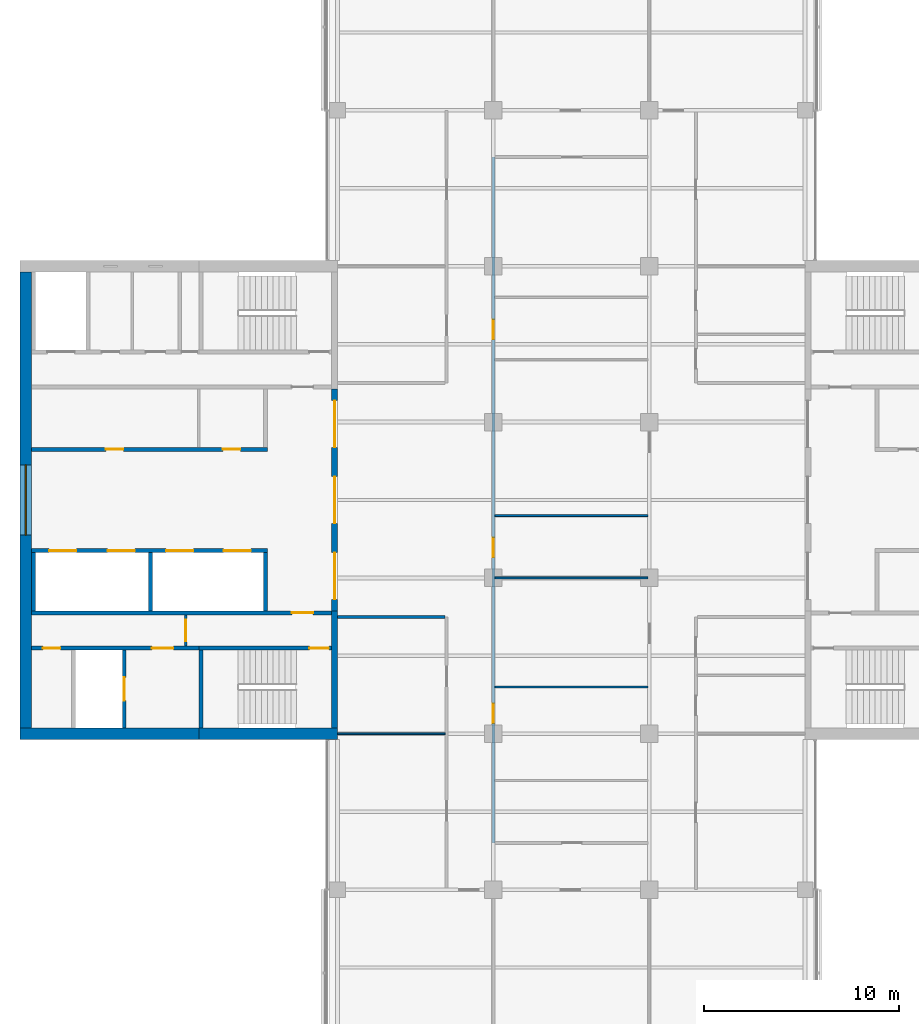
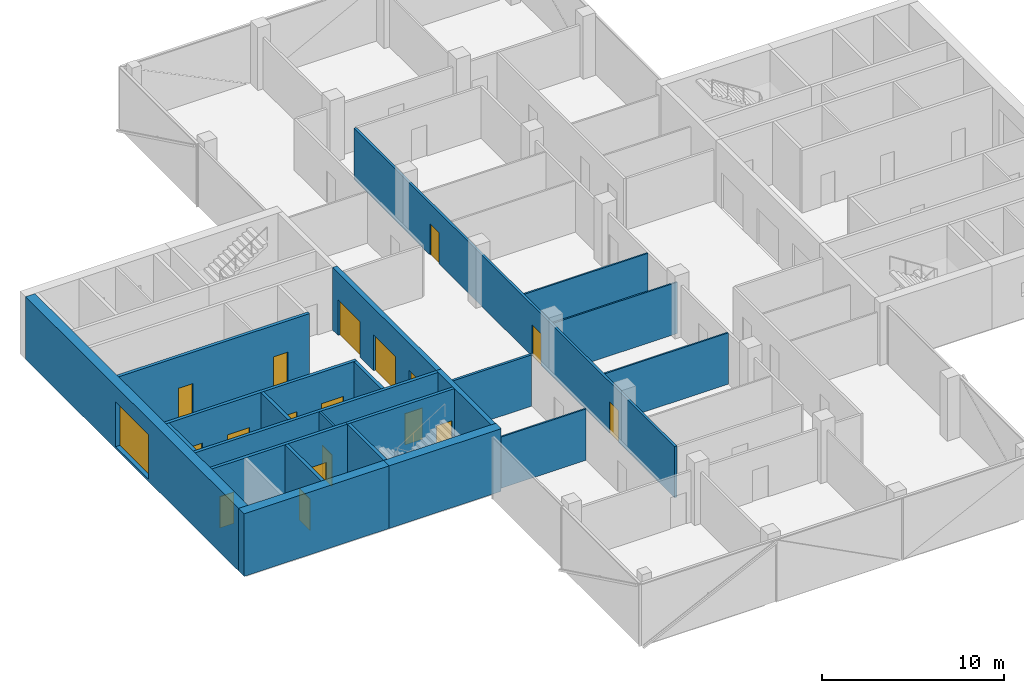
# One storey, part 9 of 15: 22 walls, 18 doors, 1 window, 19 openings.
"""IFC4 building model written with IfcOpenShell, lengths in metres."""

from ifc_helpers import new_model, si_unit, direction, frame, frame_2d, origin, place, context, subcontext, project, spatial, rectangle, extrude, material, layer, layer_set, constituent, constituent_set, type_object, element, fill, save


model = new_model("IFC4")

# Units and contexts
model_context = context("Model", 3, precision=1e-05, world=origin(), true_north=direction((0.0, 1.0)))
body_context = subcontext(model_context, "Body", "Model", "MODEL_VIEW")
ifc_project = project(units=[si_unit("LENGTHUNIT", "METRE"), si_unit("AREAUNIT", "SQUARE_METRE"), si_unit("VOLUMEUNIT", "CUBIC_METRE"), si_unit("PLANEANGLEUNIT", "RADIAN"), si_unit("MASSUNIT", "GRAM", prefix="KILO")], contexts=[model_context])

# Site, building, storey
site_placement = place(None, origin())
site = spatial("IfcSite", under=ifc_project, at=site_placement, CompositionType="ELEMENT")
building_placement = place(site_placement, origin())
building = spatial("IfcBuilding", under=site, at=building_placement, Name="Crosswind Convention Tower", CompositionType="ELEMENT")
storey_placement = place(building_placement, frame((0.0, 0.0, 199.89990234375)))
storey = spatial("IfcBuildingStorey", under=building, at=storey_placement, Name="L42", CompositionType="ELEMENT", Elevation=199.89990234375)

# Wall, openings, doors
ifc_material_1 = material(Name="Concrete C50/60", Category="concrete")
ifc_layer_1 = layer(ifc_material_1, 0.300048828125)
ifc_layer_set_1 = layer_set([ifc_layer_1], Name="Concrete C50/60")
wall_type_1 = type_object("IfcWallType", Name="Concrete inner core wall 300", PredefinedType="SHEAR", material=ifc_layer_set_1)
wall_1_placement = place(storey_placement, frame((112.85009765625, 105.699951171875, 0.0), z_axis=(0.0, 0.0, 1.0), x_axis=(0.0, -1.0, 0.0)))
wall_1 = element("IfcWall", 1, at=wall_1_placement, inside=storey, type_object=wall_type_1, Name="Wall SCR W L42", PredefinedType="SHEAR", context=body_context, shape_type="SweptSolid", body=[
    extrude(rectangle(XDim=11.39990234375, YDim=0.300048828125, at=frame_2d((5.699951171875, 0.0))), origin(), (0.0, 0.0, 1.0), 4.2001953125),
])
opening_1_placement = place(wall_1_placement, frame((0.60009765625, 0.0, 0.0)))
opening_1 = element("IfcOpeningElement", 2, at=opening_1_placement, cuts=wall_1, Name="Opening D100", PredefinedType="OPENING", context=body_context, shape_type="SweptSolid", body=[
    extrude(rectangle(XDim=2.39990234375, YDim=2.39990234375, at=frame_2d((1.199951171875, 1.199951171875))), frame((0.0, 0.159912109375, 0.0), z_axis=(0.0, -1.0, 0.0), x_axis=(1.0, 0.0, 0.0)), (0.0, 0.0, 1.0), 0.320068359375),
])
opening_2_placement = place(wall_1_placement, frame((4.5, 0.0, 0.0)))
opening_2 = element("IfcOpeningElement", 3, at=opening_2_placement, cuts=wall_1, Name="Opening D100", PredefinedType="OPENING", context=body_context, shape_type="SweptSolid", body=[
    extrude(rectangle(XDim=2.39990234375, YDim=2.39990234375, at=frame_2d((1.199951171875, 1.199951171875))), frame((0.0, 0.159912109375, 0.0), z_axis=(0.0, -1.0, 0.0), x_axis=(1.0, 0.0, 0.0)), (0.0, 0.0, 1.0), 0.320068359375),
])
opening_3_placement = place(wall_1_placement, frame((8.39990234375, 0.0, 0.0)))
opening_3 = element("IfcOpeningElement", 4, at=opening_3_placement, cuts=wall_1, Name="Opening D100", PredefinedType="OPENING", context=body_context, shape_type="SweptSolid", body=[
    extrude(rectangle(XDim=2.39990234375, YDim=2.39990234375, at=frame_2d((1.199951171875, 1.199951171875))), frame((0.0, 0.159912109375, 0.0), z_axis=(0.0, -1.0, 0.0), x_axis=(1.0, 0.0, 0.0)), (0.0, 0.0, 1.0), 0.320068359375),
])
ifc_material_2 = material(Name="Steel fire door with glazed vision panels", Category="steel")
door_type_1 = type_object("IfcDoorType", Name="Fire-rated double door 2400x2400", OperationType="DOUBLE_DOOR_SINGLE_SWING", PredefinedType="DOOR", material=ifc_material_2)
door_1_placement = place(opening_1_placement, origin())
door_1 = element("IfcDoor", 5, at=door_1_placement, inside=storey, type_object=door_type_1, Name="Lobby door 1 L42", ObjectType="D100", OperationType="DOUBLE_DOOR_SINGLE_SWING", OverallHeight=2.39990234375, OverallWidth=2.39990234375, PredefinedType="DOOR", context=body_context, shape_type="SweptSolid", body=[
    extrude(rectangle(XDim=2.39990234375, YDim=2.39990234375, at=frame_2d((1.199951171875, 1.199951171875))), frame((0.0, 0.02490234375, 0.0), z_axis=(0.0, -1.0, 0.0), x_axis=(1.0, 0.0, 0.0)), (0.0, 0.0, 1.0), 0.050048828125),
])
fill(opening_1, door_1)
door_2_placement = place(opening_2_placement, origin())
door_2 = element("IfcDoor", 6, at=door_2_placement, inside=storey, type_object=door_type_1, Name="Lobby door 2 L42", ObjectType="D100", OperationType="DOUBLE_DOOR_SINGLE_SWING", OverallHeight=2.39990234375, OverallWidth=2.39990234375, PredefinedType="DOOR", context=body_context, shape_type="SweptSolid", body=[
    extrude(rectangle(XDim=2.39990234375, YDim=2.39990234375, at=frame_2d((1.199951171875, 1.199951171875))), frame((0.0, 0.02490234375, 0.0), z_axis=(0.0, -1.0, 0.0), x_axis=(1.0, 0.0, 0.0)), (0.0, 0.0, 1.0), 0.050048828125),
])
fill(opening_2, door_2)
door_3_placement = place(opening_3_placement, origin())
door_3 = element("IfcDoor", 7, at=door_3_placement, inside=storey, type_object=door_type_1, Name="Lobby door 3 L42", ObjectType="D100", OperationType="DOUBLE_DOOR_SINGLE_SWING", OverallHeight=2.39990234375, OverallWidth=2.39990234375, PredefinedType="DOOR", context=body_context, shape_type="SweptSolid", body=[
    extrude(rectangle(XDim=2.39990234375, YDim=2.39990234375, at=frame_2d((1.199951171875, 1.199951171875))), frame((0.0, 0.02490234375, 0.0), z_axis=(0.0, -1.0, 0.0), x_axis=(1.0, 0.0, 0.0)), (0.0, 0.0, 1.0), 0.050048828125),
])
fill(opening_3, door_3)

# Walls
wall_2_placement = place(storey_placement, frame((112.85009765625, 94.300048828125, 0.0), z_axis=(0.0, 0.0, 1.0), x_axis=(0.0, -1.0, 0.0)))
element("IfcWall", 8, at=wall_2_placement, inside=storey, type_object=wall_type_1, Name="Wall EP W L42", PredefinedType="SHEAR", context=body_context, shape_type="SweptSolid", body=[
    extrude(rectangle(XDim=6.0, YDim=0.300048828125, at=frame_2d((3.0, 0.0))), origin(), (0.0, 0.0, 1.0), 4.2001953125),
])
ifc_layer_2 = layer(ifc_material_1, 0.199951171875)
ifc_layer_set_2 = layer_set([ifc_layer_2], Name="Concrete C50/60")
wall_type_2 = type_object("IfcWallType", Name="Concrete shaft and stair wall 200", PredefinedType="SHEAR", material=ifc_layer_set_2)
for number, where, z_axis, x_axis, name in (
    (9, (109.300048828125, 97.300048828125, 0.0), (0.0, 0.0, 1.0), (0.0, -1.0, 0.0), "Wall RPEND W L42"),
    (10, (103.39990234375, 97.300048828125, 0.0), (0.0, 0.0, 1.0), (0.0, -1.0, 0.0), "Wall RPSEP W L42"),
    (11, (97.39990234375, 97.300048828125, 0.0), (0.0, 0.0, 1.0), (0.0, -1.0, 0.0), "Wall RPEAST W L42"),
):
    element("IfcWall", number, at=place(storey_placement, frame(where, z_axis=z_axis, x_axis=x_axis)), inside=storey, type_object=wall_type_2, Name=name, PredefinedType="SHEAR", context=body_context, shape_type="SweptSolid", body=[
        extrude(rectangle(XDim=3.0, YDim=0.199951171875, at=frame_2d((1.5, 0.0))), origin(), (0.0, 0.0, 1.0), 4.2001953125),
    ])

# Wall, openings, doors
wall_3_placement = place(storey_placement, frame((109.39990234375, 97.39990234375, 0.0), z_axis=(0.0, 0.0, 1.0), x_axis=(-1.0, 0.0, 0.0)))
wall_3 = element("IfcWall", 12, at=wall_3_placement, inside=storey, type_object=wall_type_2, Name="Wall RPFRONT W L42", PredefinedType="SHEAR", context=body_context, shape_type="SweptSolid", body=[
    extrude(rectangle(XDim=12.099853515625, YDim=0.199951171875, at=frame_2d((6.0498046875, 0.0))), origin(), (0.0, 0.0, 1.0), 4.2001953125),
])
opening_4_placement = place(wall_3_placement, frame((0.85009765625, 0.0, 0.0)))
opening_4 = element("IfcOpeningElement", 13, at=opening_4_placement, cuts=wall_3, Name="Opening LD2", PredefinedType="OPENING", context=body_context, shape_type="SweptSolid", body=[
    extrude(rectangle(XDim=1.39990234375, YDim=2.10009765625, at=frame_2d((0.699951171875, 1.050048828125))), frame((0.0, 0.10986328125, 0.0), z_axis=(0.0, -1.0, 0.0), x_axis=(1.0, 0.0, 0.0)), (0.0, 0.0, 1.0), 0.219970703125),
])
opening_5_placement = place(wall_3_placement, frame((3.800048828125, 0.0, 0.0)))
opening_5 = element("IfcOpeningElement", 14, at=opening_5_placement, cuts=wall_3, Name="Opening LD2", PredefinedType="OPENING", context=body_context, shape_type="SweptSolid", body=[
    extrude(rectangle(XDim=1.39990234375, YDim=2.10009765625, at=frame_2d((0.699951171875, 1.050048828125))), frame((0.0, 0.10986328125, 0.0), z_axis=(0.0, -1.0, 0.0), x_axis=(1.0, 0.0, 0.0)), (0.0, 0.0, 1.0), 0.219970703125),
])
opening_6_placement = place(wall_3_placement, frame((6.800048828125, 0.0, 0.0)))
opening_6 = element("IfcOpeningElement", 15, at=opening_6_placement, cuts=wall_3, Name="Opening LD2", PredefinedType="OPENING", context=body_context, shape_type="SweptSolid", body=[
    extrude(rectangle(XDim=1.39990234375, YDim=2.10009765625, at=frame_2d((0.699951171875, 1.050048828125))), frame((0.0, 0.10986328125, 0.0), z_axis=(0.0, -1.0, 0.0), x_axis=(1.0, 0.0, 0.0)), (0.0, 0.0, 1.0), 0.219970703125),
])
opening_7_placement = place(wall_3_placement, frame((9.800048828125, 0.0, 0.0)))
opening_7 = element("IfcOpeningElement", 16, at=opening_7_placement, cuts=wall_3, Name="Opening LD2", PredefinedType="OPENING", context=body_context, shape_type="SweptSolid", body=[
    extrude(rectangle(XDim=1.39990234375, YDim=2.10009765625, at=frame_2d((0.699951171875, 1.050048828125))), frame((0.0, 0.10986328125, 0.0), z_axis=(0.0, -1.0, 0.0), x_axis=(1.0, 0.0, 0.0)), (0.0, 0.0, 1.0), 0.219970703125),
])
ifc_material_3 = material(Name="Stainless steel", Category="steel")
door_type_2 = type_object("IfcDoorType", Name="Lift landing door 1400x2100", OperationType="DOUBLE_DOOR_SLIDING", PredefinedType="DOOR", material=ifc_material_3)
door_4_placement = place(opening_4_placement, origin())
door_4 = element("IfcDoor", 17, at=door_4_placement, inside=storey, type_object=door_type_2, Name="Landing door HR1 L42", ObjectType="LD2", OperationType="DOUBLE_DOOR_SLIDING", OverallHeight=2.10009765625, OverallWidth=1.39990234375, PredefinedType="DOOR", context=body_context, shape_type="SweptSolid", body=[
    extrude(rectangle(XDim=1.39990234375, YDim=2.10009765625, at=frame_2d((0.699951171875, 1.050048828125))), frame((0.0, 0.02490234375, 0.0), z_axis=(0.0, -1.0, 0.0), x_axis=(1.0, 0.0, 0.0)), (0.0, 0.0, 1.0), 0.050048828125),
])
fill(opening_4, door_4)
door_5_placement = place(opening_5_placement, origin())
door_5 = element("IfcDoor", 18, at=door_5_placement, inside=storey, type_object=door_type_2, Name="Landing door HR2 L42", ObjectType="LD2", OperationType="DOUBLE_DOOR_SLIDING", OverallHeight=2.10009765625, OverallWidth=1.39990234375, PredefinedType="DOOR", context=body_context, shape_type="SweptSolid", body=[
    extrude(rectangle(XDim=1.39990234375, YDim=2.10009765625, at=frame_2d((0.699951171875, 1.050048828125))), frame((0.0, 0.02490234375, 0.0), z_axis=(0.0, -1.0, 0.0), x_axis=(1.0, 0.0, 0.0)), (0.0, 0.0, 1.0), 0.050048828125),
])
fill(opening_5, door_5)
door_6_placement = place(opening_6_placement, origin())
door_6 = element("IfcDoor", 19, at=door_6_placement, inside=storey, type_object=door_type_2, Name="Landing door HR3 L42", ObjectType="LD2", OperationType="DOUBLE_DOOR_SLIDING", OverallHeight=2.10009765625, OverallWidth=1.39990234375, PredefinedType="DOOR", context=body_context, shape_type="SweptSolid", body=[
    extrude(rectangle(XDim=1.39990234375, YDim=2.10009765625, at=frame_2d((0.699951171875, 1.050048828125))), frame((0.0, 0.02490234375, 0.0), z_axis=(0.0, -1.0, 0.0), x_axis=(1.0, 0.0, 0.0)), (0.0, 0.0, 1.0), 0.050048828125),
])
fill(opening_6, door_6)
door_7_placement = place(opening_7_placement, origin())
door_7 = element("IfcDoor", 20, at=door_7_placement, inside=storey, type_object=door_type_2, Name="Landing door HR4 L42", ObjectType="LD2", OperationType="DOUBLE_DOOR_SLIDING", OverallHeight=2.10009765625, OverallWidth=1.39990234375, PredefinedType="DOOR", context=body_context, shape_type="SweptSolid", body=[
    extrude(rectangle(XDim=1.39990234375, YDim=2.10009765625, at=frame_2d((0.699951171875, 1.050048828125))), frame((0.0, 0.02490234375, 0.0), z_axis=(0.0, -1.0, 0.0), x_axis=(1.0, 0.0, 0.0)), (0.0, 0.0, 1.0), 0.050048828125),
])
fill(opening_7, door_7)

wall_4_placement = place(storey_placement, frame((109.39990234375, 102.60009765625, 0.0), z_axis=(0.0, 0.0, 1.0), x_axis=(-1.0, 0.0, 0.0)))
wall_4 = element("IfcWall", 21, at=wall_4_placement, inside=storey, type_object=wall_type_2, Name="Wall RMFRONT W L42", PredefinedType="SHEAR", context=body_context, shape_type="SweptSolid", body=[
    extrude(rectangle(XDim=12.099853515625, YDim=0.199951171875, at=frame_2d((6.0498046875, 0.0))), origin(), (0.0, 0.0, 1.0), 4.2001953125),
])
opening_8_placement = place(wall_4_placement, frame((1.384765625, 0.0, 0.0)))
opening_8 = element("IfcOpeningElement", 22, at=opening_8_placement, cuts=wall_4, Name="Opening D106", PredefinedType="OPENING", context=body_context, shape_type="SweptSolid", body=[
    extrude(rectangle(XDim=0.89990234375, YDim=2.10009765625, at=frame_2d((0.449951171875, 1.050048828125))), frame((0.0, 0.10986328125, 0.0), z_axis=(0.0, -1.0, 0.0), x_axis=(1.0, 0.0, 0.0)), (0.0, 0.0, 1.0), 0.219970703125),
])
opening_9_placement = place(wall_4_placement, frame((7.397216796875, 0.0, 0.0)))
opening_9 = element("IfcOpeningElement", 23, at=opening_9_placement, cuts=wall_4, Name="Opening D106", PredefinedType="OPENING", context=body_context, shape_type="SweptSolid", body=[
    extrude(rectangle(XDim=0.89990234375, YDim=2.10009765625, at=frame_2d((0.449951171875, 1.050048828125))), frame((0.0, 0.10986328125, 0.0), z_axis=(0.0, -1.0, 0.0), x_axis=(1.0, 0.0, 0.0)), (0.0, 0.0, 1.0), 0.219970703125),
])
ifc_material_4 = material(Name="Timber door", Category="wood")
door_type_3 = type_object("IfcDoorType", Name="Single leaf door 900x2100", OperationType="NOTDEFINED", PredefinedType="DOOR", material=ifc_material_4)
door_8_placement = place(opening_8_placement, frame((0.89990234375, 0.0, 0.0), z_axis=(0.0, 0.0, 1.0), x_axis=(-1.0, 0.0, 0.0)))
door_8 = element("IfcDoor", 24, at=door_8_placement, inside=storey, type_object=door_type_3, Name="Door to storeroom L42", ObjectType="D106", OperationType="SINGLE_SWING_LEFT", OverallHeight=2.10009765625, OverallWidth=0.89990234375, PredefinedType="DOOR", context=body_context, shape_type="SweptSolid", body=[
    extrude(rectangle(XDim=0.89990234375, YDim=2.10009765625, at=frame_2d((0.449951171875, 1.050048828125))), frame((0.0, 0.02490234375, 0.0), z_axis=(0.0, -1.0, 0.0), x_axis=(1.0, 0.0, 0.0)), (0.0, 0.0, 1.0), 0.050048828125),
])
fill(opening_8, door_8)
door_9_placement = place(opening_9_placement, frame((0.89990234375, 0.0, 0.0), z_axis=(0.0, 0.0, 1.0), x_axis=(-1.0, 0.0, 0.0)))
door_9 = element("IfcDoor", 25, at=door_9_placement, inside=storey, type_object=door_type_3, Name="Door to tenant services room L42", ObjectType="D106", OperationType="SINGLE_SWING_LEFT", OverallHeight=2.10009765625, OverallWidth=0.89990234375, PredefinedType="DOOR", context=body_context, shape_type="SweptSolid", body=[
    extrude(rectangle(XDim=0.89990234375, YDim=2.10009765625, at=frame_2d((0.449951171875, 1.050048828125))), frame((0.0, 0.02490234375, 0.0), z_axis=(0.0, -1.0, 0.0), x_axis=(1.0, 0.0, 0.0)), (0.0, 0.0, 1.0), 0.050048828125),
])
fill(opening_9, door_9)

# Wall, opening, door
wall_5_placement = place(storey_placement, frame((112.699951171875, 94.199951171875, 0.0), z_axis=(0.0, 0.0, 1.0), x_axis=(-1.0, 0.0, 0.0)))
wall_5 = element("IfcWall", 26, at=wall_5_placement, inside=storey, type_object=wall_type_2, Name="Wall HP W L42", PredefinedType="SHEAR", context=body_context, shape_type="SweptSolid", body=[
    extrude(rectangle(XDim=15.39990234375, YDim=0.199951171875, at=frame_2d((7.699951171875, 0.0))), origin(), (0.0, 0.0, 1.0), 4.2001953125),
])
opening_10_placement = place(wall_5_placement, frame((0.949951171875, 0.0, 0.0)))
opening_10 = element("IfcOpeningElement", 27, at=opening_10_placement, cuts=wall_5, Name="Opening D104", PredefinedType="OPENING", context=body_context, shape_type="SweptSolid", body=[
    extrude(rectangle(XDim=1.10009765625, YDim=2.10009765625, at=frame_2d((0.550048828125, 1.050048828125))), frame((0.0, 0.10986328125, 0.0), z_axis=(0.0, -1.0, 0.0), x_axis=(1.0, 0.0, 0.0)), (0.0, 0.0, 1.0), 0.219970703125),
])
ifc_material_5 = material(Name="Steel fire door", Category="steel")
door_type_4 = type_object("IfcDoorType", Name="Fire-rated single door 1100x2100", OperationType="NOTDEFINED", PredefinedType="DOOR", material=ifc_material_5)
door_10_placement = place(opening_10_placement, origin())
door_10 = element("IfcDoor", 28, at=door_10_placement, inside=storey, type_object=door_type_4, Name="Corridor door L42", ObjectType="D104", OperationType="SINGLE_SWING_LEFT", OverallHeight=2.10009765625, OverallWidth=1.10009765625, PredefinedType="DOOR", context=body_context, shape_type="SweptSolid", body=[
    extrude(rectangle(XDim=1.10009765625, YDim=2.10009765625, at=frame_2d((0.550048828125, 1.050048828125))), frame((0.0, 0.02490234375, 0.0), z_axis=(0.0, -1.0, 0.0), x_axis=(1.0, 0.0, 0.0)), (0.0, 0.0, 1.0), 0.050048828125),
])
fill(opening_10, door_10)

# Wall
wall_6_placement = place(storey_placement, frame((106.0, 92.300048828125, 0.0), z_axis=(0.0, 0.0, 1.0), x_axis=(0.0, -1.0, 0.0)))
element("IfcWall", 29, at=wall_6_placement, inside=storey, type_object=wall_type_2, Name="Wall PSE W L42", PredefinedType="SHEAR", context=body_context, shape_type="SweptSolid", body=[
    extrude(rectangle(XDim=4.0, YDim=0.199951171875, at=frame_2d((2.0, 0.0))), origin(), (0.0, 0.0, 1.0), 4.2001953125),
])

# Wall, opening, door
wall_7_placement = place(storey_placement, frame((102.050048828125, 92.300048828125, 0.0), z_axis=(0.0, 0.0, 1.0), x_axis=(0.0, -1.0, 0.0)))
wall_7 = element("IfcWall", 30, at=wall_7_placement, inside=storey, type_object=wall_type_2, Name="Wall PFLW W L42", PredefinedType="SHEAR", context=body_context, shape_type="SweptSolid", body=[
    extrude(rectangle(XDim=4.0, YDim=0.199951171875, at=frame_2d((2.0, 0.0))), origin(), (0.0, 0.0, 1.0), 4.2001953125),
])
opening_11_placement = place(wall_7_placement, frame((1.39990234375, 0.0, 0.0)))
opening_11 = element("IfcOpeningElement", 31, at=opening_11_placement, cuts=wall_7, Name="Opening LD1", PredefinedType="OPENING", context=body_context, shape_type="SweptSolid", body=[
    extrude(rectangle(XDim=1.199951171875, YDim=2.10009765625, at=frame_2d((0.60009765625, 1.050048828125))), frame((0.0, 0.10986328125, 0.0), z_axis=(0.0, -1.0, 0.0), x_axis=(1.0, 0.0, 0.0)), (0.0, 0.0, 1.0), 0.219970703125),
])
door_type_5 = type_object("IfcDoorType", Name="Lift landing door 1200x2100", OperationType="DOUBLE_DOOR_SLIDING", PredefinedType="DOOR", material=ifc_material_3)
door_11_placement = place(opening_11_placement, origin())
door_11 = element("IfcDoor", 32, at=door_11_placement, inside=storey, type_object=door_type_5, Name="Landing door FF2 L42", ObjectType="LD1", OperationType="DOUBLE_DOOR_SLIDING", OverallHeight=2.10009765625, OverallWidth=1.199951171875, PredefinedType="DOOR", context=body_context, shape_type="SweptSolid", body=[
    extrude(rectangle(XDim=1.199951171875, YDim=2.10009765625, at=frame_2d((0.60009765625, 1.050048828125))), frame((0.0, 0.02490234375, 0.0), z_axis=(0.0, -1.0, 0.0), x_axis=(1.0, 0.0, 0.0)), (0.0, 0.0, 1.0), 0.050048828125),
])
fill(opening_11, door_11)

wall_8_placement = place(storey_placement, frame((112.699951171875, 92.39990234375, 0.0), z_axis=(0.0, 0.0, 1.0), x_axis=(-1.0, 0.0, 0.0)))
wall_8 = element("IfcWall", 33, at=wall_8_placement, inside=storey, type_object=wall_type_2, Name="Wall PCW W L42", PredefinedType="SHEAR", context=body_context, shape_type="SweptSolid", body=[
    extrude(rectangle(XDim=6.800048828125, YDim=0.199951171875, at=frame_2d((3.39990234375, 0.0))), origin(), (0.0, 0.0, 1.0), 4.2001953125),
])
opening_12_placement = place(wall_8_placement, frame((0.14990234375, 0.0, 0.0)))
opening_12 = element("IfcOpeningElement", 34, at=opening_12_placement, cuts=wall_8, Name="Opening D103", PredefinedType="OPENING", context=body_context, shape_type="SweptSolid", body=[
    extrude(rectangle(XDim=1.0, YDim=2.10009765625, at=frame_2d((0.5, 1.050048828125))), frame((0.0, 0.10986328125, 0.0), z_axis=(0.0, -1.0, 0.0), x_axis=(1.0, 0.0, 0.0)), (0.0, 0.0, 1.0), 0.219970703125),
])
door_type_6 = type_object("IfcDoorType", Name="Fire-rated single door 1000x2100", OperationType="NOTDEFINED", PredefinedType="DOOR", material=ifc_material_5)
door_12_placement = place(opening_12_placement, origin())
door_12 = element("IfcDoor", 35, at=door_12_placement, inside=storey, type_object=door_type_6, Name="Stair ST3 door L42", ObjectType="D103", OperationType="SINGLE_SWING_LEFT", OverallHeight=2.10009765625, OverallWidth=1.0, PredefinedType="DOOR", context=body_context, shape_type="SweptSolid", body=[
    extrude(rectangle(XDim=1.0, YDim=2.10009765625, at=frame_2d((0.5, 1.050048828125))), frame((0.0, 0.02490234375, 0.0), z_axis=(0.0, -1.0, 0.0), x_axis=(1.0, 0.0, 0.0)), (0.0, 0.0, 1.0), 0.050048828125),
])
fill(opening_12, door_12)

# Wall, openings, doors
wall_9_placement = place(storey_placement, frame((105.89990234375, 92.39990234375, 0.0), z_axis=(0.0, 0.0, 1.0), x_axis=(-1.0, 0.0, 0.0)))
wall_9 = element("IfcWall", 36, at=wall_9_placement, inside=storey, type_object=wall_type_2, Name="Wall PCX W L42", PredefinedType="SHEAR", context=body_context, shape_type="SweptSolid", body=[
    extrude(rectangle(XDim=8.599853515625, YDim=0.199951171875, at=frame_2d((4.2998046875, 0.0))), origin(), (0.0, 0.0, 1.0), 4.2001953125),
])
opening_13_placement = place(wall_9_placement, frame((1.324951171875, 0.0, 0.0)))
opening_13 = element("IfcOpeningElement", 37, at=opening_13_placement, cuts=wall_9, Name="Opening D104", PredefinedType="OPENING", context=body_context, shape_type="SweptSolid", body=[
    extrude(rectangle(XDim=1.10009765625, YDim=2.10009765625, at=frame_2d((0.550048828125, 1.050048828125))), frame((0.0, 0.10986328125, 0.0), z_axis=(0.0, -1.0, 0.0), x_axis=(1.0, 0.0, 0.0)), (0.0, 0.0, 1.0), 0.219970703125),
])
opening_14_placement = place(wall_9_placement, frame((7.125, 0.0, 0.0)))
opening_14 = element("IfcOpeningElement", 38, at=opening_14_placement, cuts=wall_9, Name="Opening D106", PredefinedType="OPENING", context=body_context, shape_type="SweptSolid", body=[
    extrude(rectangle(XDim=0.89990234375, YDim=2.10009765625, at=frame_2d((0.449951171875, 1.050048828125))), frame((0.0, 0.10986328125, 0.0), z_axis=(0.0, -1.0, 0.0), x_axis=(1.0, 0.0, 0.0)), (0.0, 0.0, 1.0), 0.219970703125),
])
door_13_placement = place(opening_13_placement, origin())
door_13 = element("IfcDoor", 39, at=door_13_placement, inside=storey, type_object=door_type_4, Name="Fire-fighting lobby FF2 door L42", ObjectType="D104", OperationType="SINGLE_SWING_RIGHT", OverallHeight=2.10009765625, OverallWidth=1.10009765625, PredefinedType="DOOR", context=body_context, shape_type="SweptSolid", body=[
    extrude(rectangle(XDim=1.10009765625, YDim=2.10009765625, at=frame_2d((0.550048828125, 1.050048828125))), frame((0.0, 0.02490234375, 0.0), z_axis=(0.0, -1.0, 0.0), x_axis=(1.0, 0.0, 0.0)), (0.0, 0.0, 1.0), 0.050048828125),
])
fill(opening_13, door_13)
door_14_placement = place(opening_14_placement, origin())
door_14 = element("IfcDoor", 40, at=door_14_placement, inside=storey, type_object=door_type_3, Name="Door to electrical room L42", ObjectType="D106", OperationType="SINGLE_SWING_RIGHT", OverallHeight=2.10009765625, OverallWidth=0.89990234375, PredefinedType="DOOR", context=body_context, shape_type="SweptSolid", body=[
    extrude(rectangle(XDim=0.89990234375, YDim=2.10009765625, at=frame_2d((0.449951171875, 1.050048828125))), frame((0.0, 0.02490234375, 0.0), z_axis=(0.0, -1.0, 0.0), x_axis=(1.0, 0.0, 0.0)), (0.0, 0.0, 1.0), 0.050048828125),
])
fill(opening_14, door_14)

# Wall, opening, door
ifc_material_6 = material(Name="Gypsum plasterboard partition", Category="gypsum")
ifc_layer_3 = layer(ifc_material_6, 0.125)
ifc_layer_set_3 = layer_set([ifc_layer_3], Name="Drywall partition wall 125")
wall_type_3 = type_object("IfcWallType", Name="Drywall partition wall 125", PredefinedType="PARTITIONING", material=ifc_layer_set_3)
wall_10_placement = place(storey_placement, frame((105.199951171875, 94.10009765625, 0.0), z_axis=(0.0, 0.0, 1.0), x_axis=(0.0, -1.0, 0.0)))
wall_10 = element("IfcWall", 41, at=wall_10_placement, inside=storey, type_object=wall_type_3, Name="Wall PXC1 W L42", PredefinedType="PARTITIONING", context=body_context, shape_type="SweptSolid", body=[
    extrude(rectangle(XDim=1.60009765625, YDim=0.125, at=frame_2d((0.800048828125, 0.0))), origin(), (0.0, 0.0, 1.0), 4.2001953125),
])
opening_15_placement = place(wall_10_placement, frame((0.25, 0.0, 0.0)))
opening_15 = element("IfcOpeningElement", 42, at=opening_15_placement, cuts=wall_10, Name="Opening D104", PredefinedType="OPENING", context=body_context, shape_type="SweptSolid", body=[
    extrude(rectangle(XDim=1.10009765625, YDim=2.10009765625, at=frame_2d((0.550048828125, 1.050048828125))), frame((0.0, 0.072509765625, 0.0), z_axis=(0.0, -1.0, 0.0), x_axis=(1.0, 0.0, 0.0)), (0.0, 0.0, 1.0), 0.14501953125),
])
door_15_placement = place(opening_15_placement, origin())
door_15 = element("IfcDoor", 43, at=door_15_placement, inside=storey, type_object=door_type_4, Name="Corridor smoke door L42", ObjectType="D104", OperationType="SINGLE_SWING_RIGHT", OverallHeight=2.10009765625, OverallWidth=1.10009765625, PredefinedType="DOOR", context=body_context, shape_type="SweptSolid", body=[
    extrude(rectangle(XDim=1.10009765625, YDim=2.10009765625, at=frame_2d((0.550048828125, 1.050048828125))), frame((0.0, 0.02490234375, 0.0), z_axis=(0.0, -1.0, 0.0), x_axis=(1.0, 0.0, 0.0)), (0.0, 0.0, 1.0), 0.050048828125),
])
fill(opening_15, door_15)

# Walls
ifc_material_7 = material(Name="Plasterboard partition", Category="gypsum")
ifc_layer_4 = layer(ifc_material_7, 0.10009765625)
ifc_layer_set_4 = layer_set([ifc_layer_4], Name="PARTITION 100 METAL STUD")
wall_type_4 = type_object("IfcWallType", Name="PARTITION 100 METAL STUD", PredefinedType="PARTITIONING", material=ifc_layer_set_4)
wall_11_placement = place(storey_placement, frame((113.0, 88.0, 0.0), z_axis=(0.0, 0.0, 1.0), x_axis=(1.0, 0.0, 0.0)))
element("IfcWall", 44, at=wall_11_placement, inside=storey, type_object=wall_type_4, Name="Partition wall WT40", PredefinedType="PARTITIONING", context=body_context, shape_type="SweptSolid", body=[
    extrude(rectangle(XDim=5.52490234375, YDim=0.10009765625, at=frame_2d((2.762451171875, 0.0))), origin(), (0.0, 0.0, 1.0), 3.43994140625),
])
for number, where, z_axis, x_axis, name in (
    (45, (121.074951171875, 90.39990234375, 0.0), (0.0, 0.0, 1.0), (1.0, 0.0, 0.0), "Partition wall WT40"),
    (46, (121.074951171875, 96.0, 0.0), (0.0, 0.0, 1.0), (1.0, 0.0, 0.0), "Partition wall WT40"),
    (47, (121.074951171875, 99.199951171875, 0.0), (0.0, 0.0, 1.0), (1.0, 0.0, 0.0), "Partition wall WT40"),
):
    element("IfcWall", number, at=place(storey_placement, frame(where, z_axis=z_axis, x_axis=x_axis)), inside=storey, type_object=wall_type_4, Name=name, PredefinedType="PARTITIONING", context=body_context, shape_type="SweptSolid", body=[
        extrude(rectangle(XDim=7.85009765625, YDim=0.10009765625, at=frame_2d((3.925048828125, 0.0))), origin(), (0.0, 0.0, 1.0), 3.43994140625),
    ])

# Wall, openings, doors
ifc_material_8 = material(Name="Fire-board partition with mineral wool", Category="gypsum")
ifc_layer_5 = layer(ifc_material_8, 0.14990234375)
ifc_layer_set_5 = layer_set([ifc_layer_5], Name="TENANCY WALL 150 TWO-HOUR BOARD")
wall_type_5 = type_object("IfcWallType", Name="TENANCY WALL 150 TWO-HOUR BOARD", PredefinedType="PARTITIONING", material=ifc_layer_set_5)
wall_12_placement = place(storey_placement, frame((121.0, 82.39990234375, 0.0), z_axis=(0.0, 0.0, 1.0), x_axis=(0.0, 1.0, 0.0)))
wall_12 = element("IfcWall", 48, at=wall_12_placement, inside=storey, type_object=wall_type_5, Name="Tenancy wall WT41", PredefinedType="PARTITIONING", context=body_context, shape_type="SweptSolid", body=[
    extrude(rectangle(XDim=35.2001953125, YDim=0.14990234375, at=frame_2d((17.60009765625, 0.0))), origin(), (0.0, 0.0, 1.0), 3.43994140625),
])
opening_16_placement = place(wall_12_placement, frame((6.14990234375, 0.0, 0.0)))
opening_16 = element("IfcOpeningElement", 49, at=opening_16_placement, cuts=wall_12, Name="Opening L42-65", PredefinedType="OPENING", context=body_context, shape_type="SweptSolid", body=[
    extrude(rectangle(XDim=1.0, YDim=2.10009765625, at=frame_2d((0.5, 1.050048828125))), frame((0.0, 0.0849609375, 0.0), z_axis=(0.0, -1.0, 0.0), x_axis=(1.0, 0.0, 0.0)), (0.0, 0.0, 1.0), 0.169921875),
])
opening_17_placement = place(wall_12_placement, frame((14.64990234375, 0.0, 0.0)))
opening_17 = element("IfcOpeningElement", 50, at=opening_17_placement, cuts=wall_12, Name="Opening L42-67", PredefinedType="OPENING", context=body_context, shape_type="SweptSolid", body=[
    extrude(rectangle(XDim=1.0, YDim=2.10009765625, at=frame_2d((0.5, 1.050048828125))), frame((0.0, 0.0849609375, 0.0), z_axis=(0.0, -1.0, 0.0), x_axis=(1.0, 0.0, 0.0)), (0.0, 0.0, 1.0), 0.169921875),
])
opening_18_placement = place(wall_12_placement, frame((25.85009765625, 0.0, 0.0)))
opening_18 = element("IfcOpeningElement", 51, at=opening_18_placement, cuts=wall_12, Name="Opening L42-69", PredefinedType="OPENING", context=body_context, shape_type="SweptSolid", body=[
    extrude(rectangle(XDim=1.0, YDim=2.10009765625, at=frame_2d((0.5, 1.050048828125))), frame((0.0, 0.0849609375, 0.0), z_axis=(0.0, -1.0, 0.0), x_axis=(1.0, 0.0, 0.0)), (0.0, 0.0, 1.0), 0.169921875),
])
ifc_material_9 = material(Name="Timber fire door", Category="wood")
door_type_7 = type_object("IfcDoorType", Name="TENANCY ENTRANCE DOOR 1000X2100 FD30S", OperationType="NOTDEFINED", PredefinedType="DOOR", material=ifc_material_9)
door_16_placement = place(opening_16_placement, frame((1.0, 0.0, 0.0), z_axis=(0.0, 0.0, 1.0), x_axis=(-1.0, 0.0, 0.0)))
door_16 = element("IfcDoor", 52, at=door_16_placement, inside=storey, type_object=door_type_7, Name="Door L42-65", ObjectType="D41", OperationType="SINGLE_SWING_RIGHT", OverallHeight=2.10009765625, OverallWidth=1.0, PredefinedType="DOOR", context=body_context, shape_type="SweptSolid", body=[
    extrude(rectangle(XDim=1.0, YDim=2.10009765625, at=frame_2d((0.5, 1.050048828125))), frame((0.0, 0.02490234375, 0.0), z_axis=(0.0, -1.0, 0.0), x_axis=(1.0, 0.0, 0.0)), (0.0, 0.0, 1.0), 0.050048828125),
])
fill(opening_16, door_16)
door_17_placement = place(opening_17_placement, frame((1.0, 0.0, 0.0), z_axis=(0.0, 0.0, 1.0), x_axis=(-1.0, 0.0, 0.0)))
door_17 = element("IfcDoor", 53, at=door_17_placement, inside=storey, type_object=door_type_7, Name="Door L42-67", ObjectType="D41", OperationType="SINGLE_SWING_RIGHT", OverallHeight=2.10009765625, OverallWidth=1.0, PredefinedType="DOOR", context=body_context, shape_type="SweptSolid", body=[
    extrude(rectangle(XDim=1.0, YDim=2.10009765625, at=frame_2d((0.5, 1.050048828125))), frame((0.0, 0.02490234375, 0.0), z_axis=(0.0, -1.0, 0.0), x_axis=(1.0, 0.0, 0.0)), (0.0, 0.0, 1.0), 0.050048828125),
])
fill(opening_17, door_17)
door_18_placement = place(opening_18_placement, frame((1.0, 0.0, 0.0), z_axis=(0.0, 0.0, 1.0), x_axis=(-1.0, 0.0, 0.0)))
door_18 = element("IfcDoor", 54, at=door_18_placement, inside=storey, type_object=door_type_7, Name="Door L42-69", ObjectType="D41", OperationType="SINGLE_SWING_RIGHT", OverallHeight=2.10009765625, OverallWidth=1.0, PredefinedType="DOOR", context=body_context, shape_type="SweptSolid", body=[
    extrude(rectangle(XDim=1.0, YDim=2.10009765625, at=frame_2d((0.5, 1.050048828125))), frame((0.0, 0.02490234375, 0.0), z_axis=(0.0, -1.0, 0.0), x_axis=(1.0, 0.0, 0.0)), (0.0, 0.0, 1.0), 0.050048828125),
])
fill(opening_18, door_18)

# Walls
wall_13_placement = place(storey_placement, frame((113.0, 94.0, 0.0), z_axis=(0.0, 0.0, 1.0), x_axis=(1.0, 0.0, 0.0)))
element("IfcWall", 55, at=wall_13_placement, inside=storey, type_object=wall_type_5, Name="Tenancy wall WT41", PredefinedType="PARTITIONING", context=body_context, shape_type="SweptSolid", body=[
    extrude(rectangle(XDim=5.52490234375, YDim=0.14990234375, at=frame_2d((2.762451171875, 0.0))), origin(), (0.0, 0.0, 1.0), 3.43994140625),
])
ifc_material_10 = material(Name="Concrete C60/75", Category="concrete")
ifc_constituent_1 = constituent(ifc_material_10, Name="Structure")
ifc_material_11 = material(Name="Terracotta rainscreen", Category="ceramic")
ifc_constituent_2 = constituent(ifc_material_11, Name="Facing")
ifc_constituent_set = constituent_set(constituents=[ifc_constituent_1, ifc_constituent_2], Name="Concrete C60/75, Terracotta rainscreen")
wall_type_6 = type_object("IfcWallType", Name="Terracotta rainscreen on concrete core wall 600", PredefinedType="SHEAR", material=ifc_constituent_set)
wall_14_placement = place(storey_placement, frame((113.0, 88.0, 0.0), z_axis=(0.0, 0.0, 1.0), x_axis=(-1.0, 0.0, 0.0)))
element("IfcWall", 56, at=wall_14_placement, inside=storey, type_object=wall_type_6, Name="Wall N1 W L42", PredefinedType="SHEAR", context=body_context, shape_type="SweptSolid", body=[
    extrude(rectangle(XDim=7.10009765625, YDim=0.60009765625, at=frame_2d((3.550048828125, 0.0))), origin(), (0.0, 0.0, 1.0), 4.2001953125),
])
wall_15_placement = place(storey_placement, frame((105.89990234375, 88.0, 0.0), z_axis=(0.0, 0.0, 1.0), x_axis=(-1.0, 0.0, 0.0)))
element("IfcWall", 57, at=wall_15_placement, inside=storey, type_object=wall_type_6, Name="Wall N2 W L42", PredefinedType="SHEAR", context=body_context, shape_type="SweptSolid", body=[
    extrude(rectangle(XDim=9.199951171875, YDim=0.60009765625, at=frame_2d((4.60009765625, 0.0))), origin(), (0.0, 0.0, 1.0), 4.2001953125),
])

# Wall, opening, window
wall_16_placement = place(storey_placement, frame((97.0, 111.699951171875, 0.0), z_axis=(0.0, 0.0, 1.0), x_axis=(0.0, -1.0, 0.0)))
wall_16 = element("IfcWall", 58, at=wall_16_placement, inside=storey, type_object=wall_type_6, Name="Wall O W L42", PredefinedType="SHEAR", context=body_context, shape_type="SweptSolid", body=[
    extrude(rectangle(XDim=23.39990234375, YDim=0.60009765625, at=frame_2d((11.699951171875, 0.0))), origin(), (0.0, 0.0, 1.0), 4.2001953125),
])
opening_19_placement = place(wall_16_placement, frame((9.89990234375, 0.0, 0.14990234375)))
opening_19 = element("IfcOpeningElement", 59, at=opening_19_placement, cuts=wall_16, Name="Opening W1", PredefinedType="OPENING", context=body_context, shape_type="SweptSolid", body=[
    extrude(rectangle(XDim=3.60009765625, YDim=3.0, at=frame_2d((1.800048828125, 1.5))), frame((0.0, 0.31005859375, 0.0), z_axis=(0.0, -1.0, 0.0), x_axis=(1.0, 0.0, 0.0)), (0.0, 0.0, 1.0), 0.6201171875),
])
ifc_material_12 = material(Name="Clear laminated glass in aluminium frame", Category="aluminium")
window_type = type_object("IfcWindowType", Name="Lobby end window 3600x3000", PartitioningType="SINGLE_PANEL", PredefinedType="WINDOW", material=ifc_material_12)
window_placement = place(opening_19_placement, origin())
window = element("IfcWindow", 60, at=window_placement, inside=storey, type_object=window_type, Name="Lobby end window L42", ObjectType="W1", OverallHeight=3.0, OverallWidth=3.60009765625, PartitioningType="SINGLE_PANEL", PredefinedType="WINDOW", context=body_context, shape_type="SweptSolid", body=[
    extrude(rectangle(XDim=3.60009765625, YDim=3.0, at=frame_2d((1.800048828125, 1.5))), frame((0.0, 0.030029296875, 0.0), z_axis=(0.0, -1.0, 0.0), x_axis=(1.0, 0.0, 0.0)), (0.0, 0.0, 1.0), 0.06005859375),
])
fill(opening_19, window)

save(model, "model.ifc")
